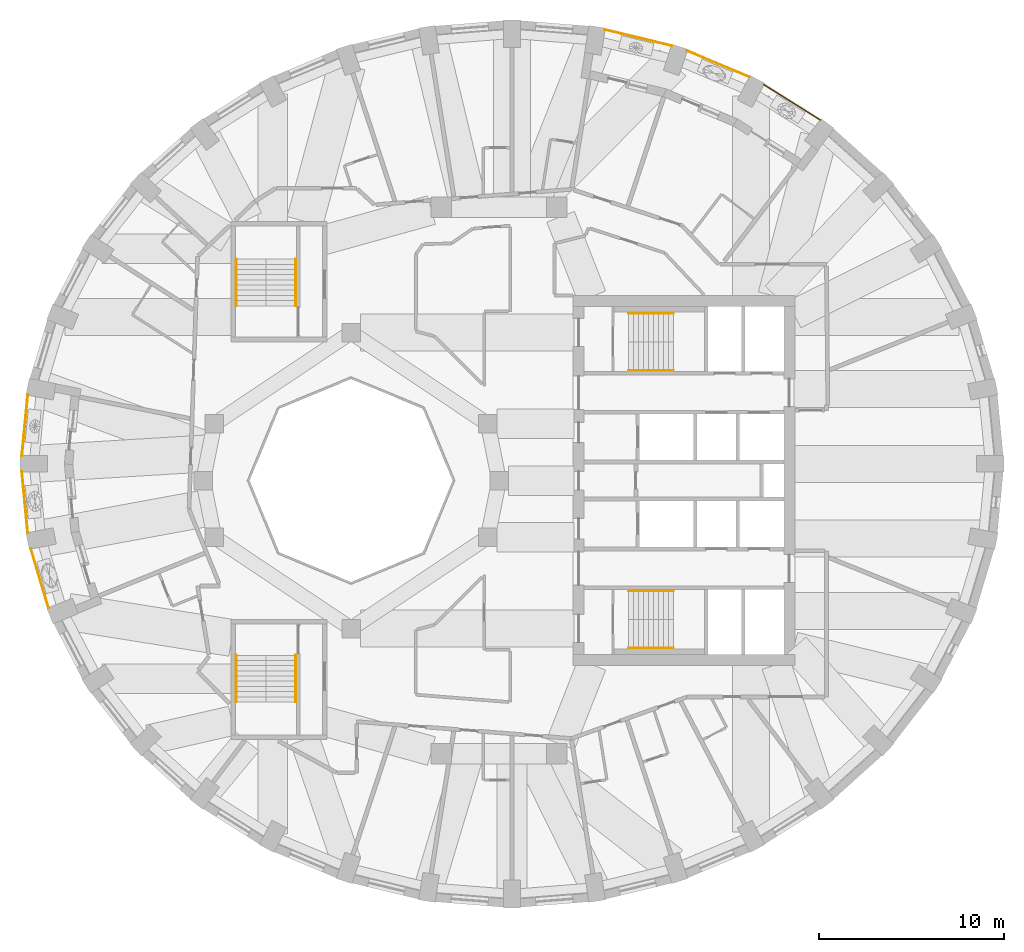
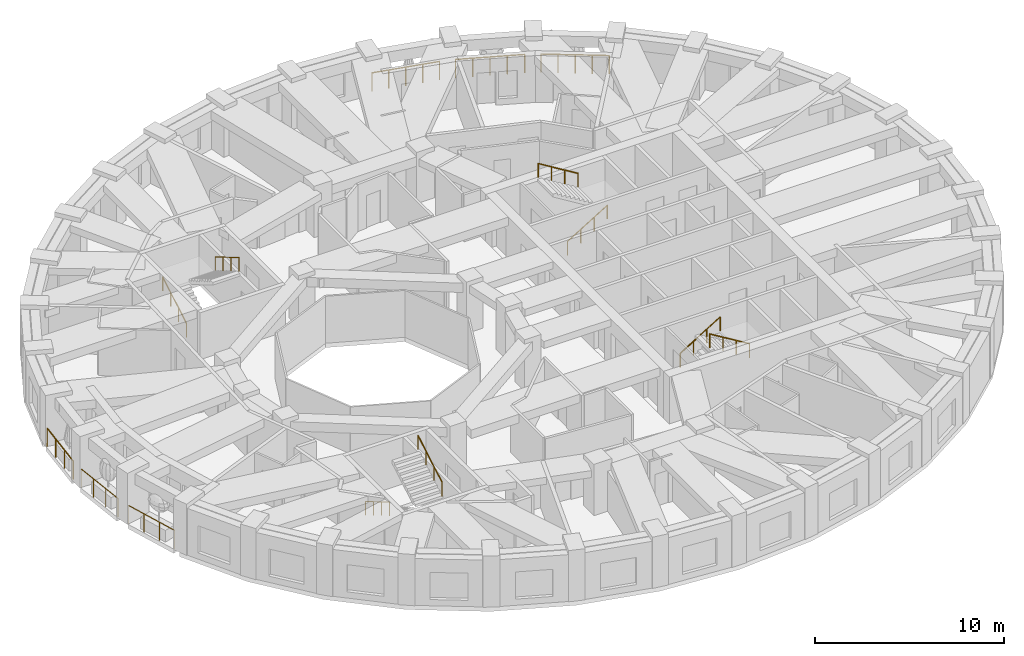
# One storey, part 10 of 12: 14 railings.
"""IFC4 building model written with IfcOpenShell, lengths in metres."""

from ifc_helpers import new_model, si_unit, direction, frame, origin, origin_2d, place, context, subcontext, project, spatial, circle, extrude, material, type_object, element, save


model = new_model("IFC4")

# Units and contexts
model_context = context("Model", 3, precision=1e-05, world=origin(), true_north=direction((0.0, 1.0)))
body_context = subcontext(model_context, "Body", "Model", "MODEL_VIEW")
ifc_project = project(units=[si_unit("LENGTHUNIT", "METRE"), si_unit("AREAUNIT", "SQUARE_METRE"), si_unit("VOLUMEUNIT", "CUBIC_METRE"), si_unit("PLANEANGLEUNIT", "RADIAN"), si_unit("MASSUNIT", "GRAM", prefix="KILO")], contexts=[model_context])

# Site, building, storey
site_placement = place(None, origin())
site = spatial("IfcSite", under=ifc_project, at=site_placement, CompositionType="ELEMENT")
building_placement = place(site_placement, origin())
building = spatial("IfcBuilding", under=site, at=building_placement, Name="Taillehof Tower", CompositionType="ELEMENT")
storey_placement = place(building_placement, frame((0.0, 0.0, 195.800048828125)))
storey = spatial("IfcBuildingStorey", under=building, at=storey_placement, Name="L55", CompositionType="ELEMENT", Elevation=195.800048828125)

# Railings
ifc_material_1 = material(Name="Stainless steel balustrade", Category="steel")
railing_type_1 = type_object("IfcRailingType", Name="Balcony guard 1200", PredefinedType="GUARDRAIL", material=ifc_material_1)
railing_1_placement = place(storey_placement, frame((17.3671875, 19.490478515625, 0.0)))
element("IfcRailing", 1, at=railing_1_placement, inside=storey, type_object=railing_type_1, Name="Balcony guard L55 bay 6", PredefinedType="GUARDRAIL", context=body_context, shape_type="SweptSolid", body=[
    extrude(circle(Radius=0.02392578125, at=origin_2d()), frame((0.0, 0.0, 1.17578125), z_axis=(-0.846122283453, 0.532988819249, 0.0), x_axis=(-0.532988819249, -0.846122283453, 0.0)), (0.0, 0.0, 1.0), 3.614501953125),
    extrude(circle(Radius=0.02099609375, at=origin_2d()), origin(), (0.0, 0.0, 1.0), 1.15185546875),
    extrude(circle(Radius=0.02099609375, at=origin_2d()), frame((-0.7646484375, 0.481689453125, 0.0)), (0.0, 0.0, 1.0), 1.15185546875),
    extrude(circle(Radius=0.02099609375, at=origin_2d()), frame((-1.529296875, 0.96337890625, 0.0)), (0.0, 0.0, 1.0), 1.15185546875),
    extrude(circle(Radius=0.02099609375, at=origin_2d()), frame((-2.293701171875, 1.44482421875, 0.0)), (0.0, 0.0, 1.0), 1.15185546875),
    extrude(circle(Radius=0.02099609375, at=origin_2d()), frame((-3.058349609375, 1.926513671875, 0.0)), (0.0, 0.0, 1.0), 1.15185546875),
])
railing_2_placement = place(storey_placement, frame((13.545654296875, 21.813720703125, 0.0)))
element("IfcRailing", 2, at=railing_2_placement, inside=storey, type_object=railing_type_1, Name="Balcony guard L55 bay 7", PredefinedType="GUARDRAIL", context=body_context, shape_type="SweptSolid", body=[
    extrude(circle(Radius=0.02392578125, at=origin_2d()), frame((0.0, 0.0, 1.17578125), z_axis=(-0.922153135678, 0.386825017752, 0.0), x_axis=(-0.386825017752, -0.922153135678, 0.0)), (0.0, 0.0, 1.0), 3.677734375),
    extrude(circle(Radius=0.02099609375, at=origin_2d()), origin(), (0.0, 0.0, 1.0), 1.15185546875),
    extrude(circle(Radius=0.02099609375, at=origin_2d()), frame((-0.847900390625, 0.355712890625, 0.0)), (0.0, 0.0, 1.0), 1.15185546875),
    extrude(circle(Radius=0.02099609375, at=origin_2d()), frame((-1.69580078125, 0.71142578125, 0.0)), (0.0, 0.0, 1.0), 1.15185546875),
    extrude(circle(Radius=0.02099609375, at=origin_2d()), frame((-2.54345703125, 1.06689453125, 0.0)), (0.0, 0.0, 1.0), 1.15185546875),
    extrude(circle(Radius=0.02099609375, at=origin_2d()), frame((-3.391357421875, 1.422607421875, 0.0)), (0.0, 0.0, 1.0), 1.15185546875),
])
railing_3_placement = place(storey_placement, frame((9.3369140625, 23.50439453125, 0.0)))
element("IfcRailing", 3, at=railing_3_placement, inside=storey, type_object=railing_type_1, Name="Balcony guard L55 bay 8", PredefinedType="GUARDRAIL", context=body_context, shape_type="SweptSolid", body=[
    extrude(circle(Radius=0.02392578125, at=origin_2d()), frame((0.0, 0.0, 1.17578125), z_axis=(-0.972163104093, 0.234305140875, 0.0), x_axis=(-0.234305140875, -0.972163104093, 0.0)), (0.0, 0.0, 1.0), 3.72412109375),
    extrude(circle(Radius=0.02099609375, at=origin_2d()), origin(), (0.0, 0.0, 1.0), 1.15185546875),
    extrude(circle(Radius=0.02099609375, at=origin_2d()), frame((-0.905029296875, 0.21826171875, 0.0)), (0.0, 0.0, 1.0), 1.15185546875),
    extrude(circle(Radius=0.02099609375, at=origin_2d()), frame((-1.81005859375, 0.436279296875, 0.0)), (0.0, 0.0, 1.0), 1.15185546875),
    extrude(circle(Radius=0.02099609375, at=origin_2d()), frame((-2.71533203125, 0.654296875, 0.0)), (0.0, 0.0, 1.0), 1.15185546875),
    extrude(circle(Radius=0.02099609375, at=origin_2d()), frame((-3.620361328125, 0.87255859375, 0.0)), (0.0, 0.0, 1.0), 1.15185546875),
])
railing_4_placement = place(storey_placement, frame((-25.47607421875, 4.6396484375, 0.0)))
element("IfcRailing", 4, at=railing_4_placement, inside=storey, type_object=railing_type_1, Name="Balcony guard L55 bay 18", PredefinedType="GUARDRAIL", context=body_context, shape_type="SweptSolid", body=[
    extrude(circle(Radius=0.02392578125, at=origin_2d()), frame((0.0, 0.0, 1.17578125), z_axis=(-0.096770014858, -0.995306768903, 0.0), x_axis=(0.995306768903, -0.096770014858, 0.0)), (0.0, 0.0, 1.0), 3.3251953125),
    extrude(circle(Radius=0.02099609375, at=origin_2d()), origin(), (0.0, 0.0, 1.0), 1.15185546875),
    extrude(circle(Radius=0.02099609375, at=origin_2d()), frame((-0.107177734375, -1.103271484375, 0.0)), (0.0, 0.0, 1.0), 1.15185546875),
    extrude(circle(Radius=0.02099609375, at=origin_2d()), frame((-0.214599609375, -2.206298828125, 0.0)), (0.0, 0.0, 1.0), 1.15185546875),
    extrude(circle(Radius=0.02099609375, at=origin_2d()), frame((-0.32177734375, -3.3095703125, 0.0)), (0.0, 0.0, 1.0), 1.15185546875),
])
railing_5_placement = place(storey_placement, frame((-25.7978515625, 0.469970703125, 0.0)))
element("IfcRailing", 5, at=railing_5_placement, inside=storey, type_object=railing_type_1, Name="Balcony guard L55 bay 19", PredefinedType="GUARDRAIL", context=body_context, shape_type="SweptSolid", body=[
    extrude(circle(Radius=0.02392578125, at=origin_2d()), frame((0.0, 0.0, 1.17578125), z_axis=(0.096770014858, -0.995306768903, 0.0), x_axis=(0.995306768903, 0.096770014858, 0.0)), (0.0, 0.0, 1.0), 3.3251953125),
    extrude(circle(Radius=0.02099609375, at=origin_2d()), origin(), (0.0, 0.0, 1.0), 1.15185546875),
    extrude(circle(Radius=0.02099609375, at=origin_2d()), frame((0.107177734375, -1.103271484375, 0.0)), (0.0, 0.0, 1.0), 1.15185546875),
    extrude(circle(Radius=0.02099609375, at=origin_2d()), frame((0.214599609375, -2.206298828125, 0.0)), (0.0, 0.0, 1.0), 1.15185546875),
    extrude(circle(Radius=0.02099609375, at=origin_2d()), frame((0.32177734375, -3.3095703125, 0.0)), (0.0, 0.0, 1.0), 1.15185546875),
])
railing_6_placement = place(storey_placement, frame((-25.310791015625, -3.683837890625, 0.0)))
element("IfcRailing", 6, at=railing_6_placement, inside=storey, type_object=railing_type_1, Name="Balcony guard L55 bay 20", PredefinedType="GUARDRAIL", context=body_context, shape_type="SweptSolid", body=[
    extrude(circle(Radius=0.02392578125, at=origin_2d()), frame((0.0, 0.0, 1.17578125), z_axis=(0.285469468933, -0.958387803714, 0.0), x_axis=(0.958387803714, 0.285469468933, 0.0)), (0.0, 0.0, 1.0), 3.3515625),
    extrude(circle(Radius=0.02099609375, at=origin_2d()), origin(), (0.0, 0.0, 1.0), 1.15185546875),
    extrude(circle(Radius=0.02099609375, at=origin_2d()), frame((0.31884765625, -1.07080078125, 0.0)), (0.0, 0.0, 1.0), 1.15185546875),
    extrude(circle(Radius=0.02099609375, at=origin_2d()), frame((0.637939453125, -2.141357421875, 0.0)), (0.0, 0.0, 1.0), 1.15185546875),
    extrude(circle(Radius=0.02099609375, at=origin_2d()), frame((0.956787109375, -3.212158203125, 0.0)), (0.0, 0.0, 1.0), 1.15185546875),
])
ifc_material_2 = material(Name="Stainless steel", Category="steel")
railing_type_2 = type_object("IfcRailingType", Name="Stair handrail 900", PredefinedType="HANDRAIL", material=ifc_material_2)
railing_7_placement = place(storey_placement, frame((7.0, 5.949951171875, 0.1650390625)))
element("IfcRailing", 7, at=railing_7_placement, inside=storey, type_object=railing_type_2, Name="Stair S1 handrail", PredefinedType="HANDRAIL", context=body_context, shape_type="SweptSolid", body=[
    extrude(circle(Radius=0.02392578125, at=origin_2d()), frame((0.0, 0.0, 0.8759765625), z_axis=(0.853296667938, 0.0, 0.521425734392), x_axis=(0.0, 1.0, 0.0)), (0.0, 0.0, 1.0), 2.84765625),
    extrude(circle(Radius=0.02099609375, at=origin_2d()), origin(), (0.0, 0.0, 1.0), 0.851806640625),
    extrude(circle(Radius=0.02099609375, at=origin_2d()), frame((0.81005859375, 0.0, 0.494873046875)), (0.0, 0.0, 1.0), 0.851806640625),
    extrude(circle(Radius=0.02099609375, at=origin_2d()), frame((1.619873046875, 0.0, 0.989990234375)), (0.0, 0.0, 1.0), 0.851806640625),
    extrude(circle(Radius=0.02099609375, at=origin_2d()), frame((2.429931640625, 0.0, 1.48486328125)), (0.0, 0.0, 1.0), 0.851806640625),
])
railing_8_placement = place(storey_placement, frame((9.429931640625, 9.050048828125, 1.81494140625)))
element("IfcRailing", 8, at=railing_8_placement, inside=storey, type_object=railing_type_2, Name="Stair S1 handrail", PredefinedType="HANDRAIL", context=body_context, shape_type="SweptSolid", body=[
    extrude(circle(Radius=0.02392578125, at=origin_2d()), frame((0.0, 0.0, 0.8759765625), z_axis=(-0.853258522278, 0.0, 0.521488153423), x_axis=(0.0, -1.0, 0.0)), (0.0, 0.0, 1.0), 2.847900390625),
    extrude(circle(Radius=0.02099609375, at=origin_2d()), origin(), (0.0, 0.0, 1.0), 0.851806640625),
    extrude(circle(Radius=0.02099609375, at=origin_2d()), frame((-0.81005859375, 0.0, 0.4951171875)), (0.0, 0.0, 1.0), 0.851806640625),
    extrude(circle(Radius=0.02099609375, at=origin_2d()), frame((-1.619873046875, 0.0, 0.989990234375)), (0.0, 0.0, 1.0), 0.851806640625),
    extrude(circle(Radius=0.02099609375, at=origin_2d()), frame((-2.429931640625, 0.0, 1.485107421875)), (0.0, 0.0, 1.0), 0.851806640625),
])
railing_9_placement = place(storey_placement, frame((7.0, -5.949951171875, 0.1650390625)))
element("IfcRailing", 9, at=railing_9_placement, inside=storey, type_object=railing_type_2, Name="Stair S2 handrail", PredefinedType="HANDRAIL", context=body_context, shape_type="SweptSolid", body=[
    extrude(circle(Radius=0.02392578125, at=origin_2d()), frame((0.0, 0.0, 0.8759765625), z_axis=(0.853296667938, 0.0, 0.521425734392), x_axis=(0.0, 1.0, 0.0)), (0.0, 0.0, 1.0), 2.84765625),
    extrude(circle(Radius=0.02099609375, at=origin_2d()), origin(), (0.0, 0.0, 1.0), 0.851806640625),
    extrude(circle(Radius=0.02099609375, at=origin_2d()), frame((0.81005859375, 0.0, 0.494873046875)), (0.0, 0.0, 1.0), 0.851806640625),
    extrude(circle(Radius=0.02099609375, at=origin_2d()), frame((1.619873046875, 0.0, 0.989990234375)), (0.0, 0.0, 1.0), 0.851806640625),
    extrude(circle(Radius=0.02099609375, at=origin_2d()), frame((2.429931640625, 0.0, 1.48486328125)), (0.0, 0.0, 1.0), 0.851806640625),
])
railing_10_placement = place(storey_placement, frame((9.429931640625, -9.050048828125, 1.81494140625)))
element("IfcRailing", 10, at=railing_10_placement, inside=storey, type_object=railing_type_2, Name="Stair S2 handrail", PredefinedType="HANDRAIL", context=body_context, shape_type="SweptSolid", body=[
    extrude(circle(Radius=0.02392578125, at=origin_2d()), frame((0.0, 0.0, 0.8759765625), z_axis=(-0.853258522278, 0.0, 0.521488153423), x_axis=(0.0, -1.0, 0.0)), (0.0, 0.0, 1.0), 2.847900390625),
    extrude(circle(Radius=0.02099609375, at=origin_2d()), origin(), (0.0, 0.0, 1.0), 0.851806640625),
    extrude(circle(Radius=0.02099609375, at=origin_2d()), frame((-0.81005859375, 0.0, 0.4951171875)), (0.0, 0.0, 1.0), 0.851806640625),
    extrude(circle(Radius=0.02099609375, at=origin_2d()), frame((-1.619873046875, 0.0, 0.989990234375)), (0.0, 0.0, 1.0), 0.851806640625),
    extrude(circle(Radius=0.02099609375, at=origin_2d()), frame((-2.429931640625, 0.0, 1.485107421875)), (0.0, 0.0, 1.0), 0.851806640625),
])
railing_11_placement = place(storey_placement, frame((-14.199951171875, 9.449951171875, 0.1650390625)))
element("IfcRailing", 11, at=railing_11_placement, inside=storey, type_object=railing_type_2, Name="Stair S3 handrail", PredefinedType="HANDRAIL", context=body_context, shape_type="SweptSolid", body=[
    extrude(circle(Radius=0.02392578125, at=origin_2d()), frame((0.0, 0.0, 0.8759765625), z_axis=(0.0, 0.861560626758, 0.507654692109), x_axis=(-1.0, 0.0, 0.0)), (0.0, 0.0, 1.0), 2.925048828125),
    extrude(circle(Radius=0.02099609375, at=origin_2d()), origin(), (0.0, 0.0, 1.0), 0.851806640625),
    extrude(circle(Radius=0.02099609375, at=origin_2d()), frame((0.0, 0.840087890625, 0.494873046875)), (0.0, 0.0, 1.0), 0.851806640625),
    extrude(circle(Radius=0.02099609375, at=origin_2d()), frame((0.0, 1.679931640625, 0.989990234375)), (0.0, 0.0, 1.0), 0.851806640625),
    extrude(circle(Radius=0.02099609375, at=origin_2d()), frame((0.0, 2.52001953125, 1.48486328125)), (0.0, 0.0, 1.0), 0.851806640625),
])
railing_12_placement = place(storey_placement, frame((-11.0, 11.969970703125, 1.81494140625)))
element("IfcRailing", 12, at=railing_12_placement, inside=storey, type_object=railing_type_2, Name="Stair S3 handrail", PredefinedType="HANDRAIL", context=body_context, shape_type="SweptSolid", body=[
    extrude(circle(Radius=0.02392578125, at=origin_2d()), frame((0.0, 0.0, 0.8759765625), z_axis=(0.0, -0.86152411907, 0.507716645641), x_axis=(1.0, 0.0, 0.0)), (0.0, 0.0, 1.0), 2.925048828125),
    extrude(circle(Radius=0.02099609375, at=origin_2d()), origin(), (0.0, 0.0, 1.0), 0.851806640625),
    extrude(circle(Radius=0.02099609375, at=origin_2d()), frame((0.0, -0.840087890625, 0.4951171875)), (0.0, 0.0, 1.0), 0.851806640625),
    extrude(circle(Radius=0.02099609375, at=origin_2d()), frame((0.0, -1.679931640625, 0.989990234375)), (0.0, 0.0, 1.0), 0.851806640625),
    extrude(circle(Radius=0.02099609375, at=origin_2d()), frame((0.0, -2.52001953125, 1.485107421875)), (0.0, 0.0, 1.0), 0.851806640625),
])
railing_13_placement = place(storey_placement, frame((-14.199951171875, -9.449951171875, 0.1650390625)))
element("IfcRailing", 13, at=railing_13_placement, inside=storey, type_object=railing_type_2, Name="Stair S4 handrail", PredefinedType="HANDRAIL", context=body_context, shape_type="SweptSolid", body=[
    extrude(circle(Radius=0.02392578125, at=origin_2d()), frame((0.0, 0.0, 0.8759765625), z_axis=(0.0, -0.861560626758, 0.507654692109), x_axis=(1.0, 0.0, 0.0)), (0.0, 0.0, 1.0), 2.925048828125),
    extrude(circle(Radius=0.02099609375, at=origin_2d()), origin(), (0.0, 0.0, 1.0), 0.851806640625),
    extrude(circle(Radius=0.02099609375, at=origin_2d()), frame((0.0, -0.840087890625, 0.494873046875)), (0.0, 0.0, 1.0), 0.851806640625),
    extrude(circle(Radius=0.02099609375, at=origin_2d()), frame((0.0, -1.679931640625, 0.989990234375)), (0.0, 0.0, 1.0), 0.851806640625),
    extrude(circle(Radius=0.02099609375, at=origin_2d()), frame((0.0, -2.52001953125, 1.48486328125)), (0.0, 0.0, 1.0), 0.851806640625),
])
railing_14_placement = place(storey_placement, frame((-11.0, -11.969970703125, 1.81494140625)))
element("IfcRailing", 14, at=railing_14_placement, inside=storey, type_object=railing_type_2, Name="Stair S4 handrail", PredefinedType="HANDRAIL", context=body_context, shape_type="SweptSolid", body=[
    extrude(circle(Radius=0.02392578125, at=origin_2d()), frame((0.0, 0.0, 0.8759765625), z_axis=(0.0, 0.86152411907, 0.507716645641), x_axis=(-1.0, 0.0, 0.0)), (0.0, 0.0, 1.0), 2.925048828125),
    extrude(circle(Radius=0.02099609375, at=origin_2d()), origin(), (0.0, 0.0, 1.0), 0.851806640625),
    extrude(circle(Radius=0.02099609375, at=origin_2d()), frame((0.0, 0.840087890625, 0.4951171875)), (0.0, 0.0, 1.0), 0.851806640625),
    extrude(circle(Radius=0.02099609375, at=origin_2d()), frame((0.0, 1.679931640625, 0.989990234375)), (0.0, 0.0, 1.0), 0.851806640625),
    extrude(circle(Radius=0.02099609375, at=origin_2d()), frame((0.0, 2.52001953125, 1.485107421875)), (0.0, 0.0, 1.0), 0.851806640625),
])

save(model, "model.ifc")
